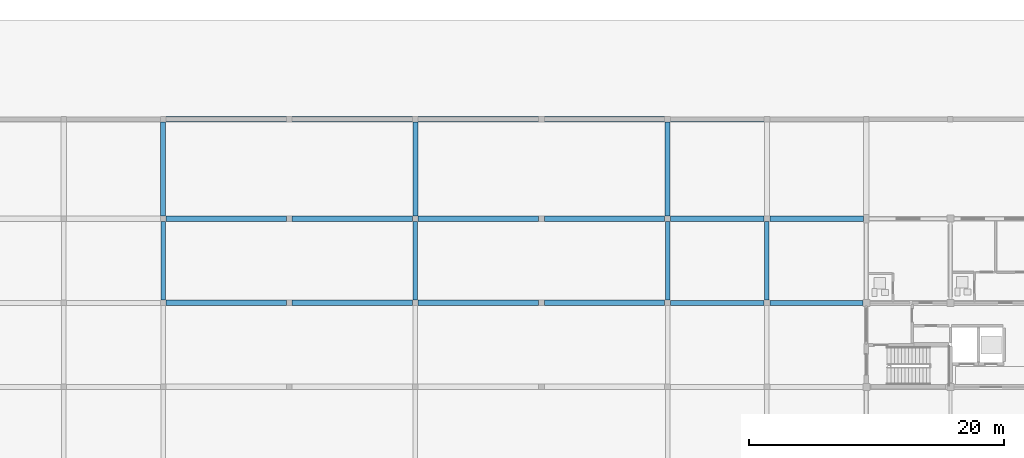
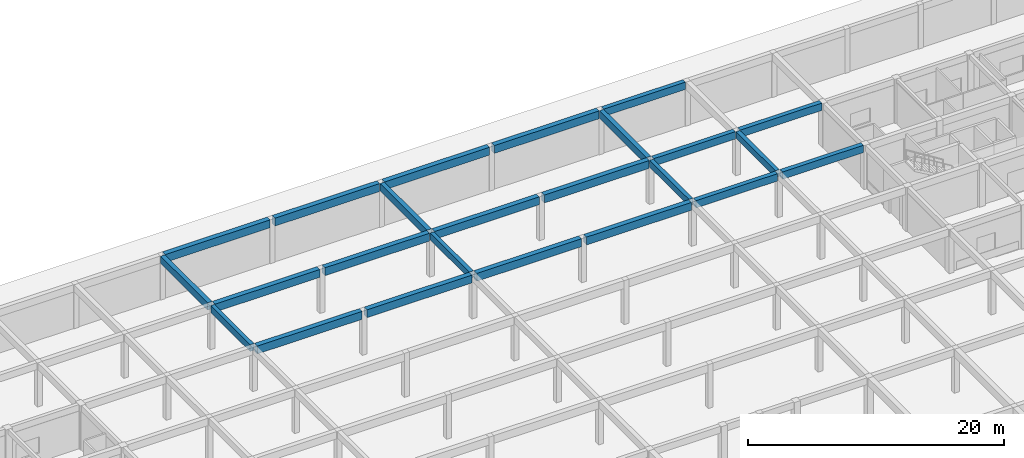
# One storey, part 35 of 75: 24 beams.
"""IFC4 building model written with IfcOpenShell, lengths in metres."""

from ifc_helpers import new_model, si_unit, direction, frame, origin, origin_2d, place, context, subcontext, project, spatial, rectangle, extrude, material, material_profile, profile_set, type_object, element, save


model = new_model("IFC4")

# Units and contexts
model_context = context("Model", 3, precision=1e-05, world=origin(), true_north=direction((0.0, 1.0)))
body_context = subcontext(model_context, "Body", "Model", "MODEL_VIEW")
ifc_project = project(units=[si_unit("LENGTHUNIT", "METRE"), si_unit("AREAUNIT", "SQUARE_METRE"), si_unit("VOLUMEUNIT", "CUBIC_METRE"), si_unit("PLANEANGLEUNIT", "RADIAN"), si_unit("MASSUNIT", "GRAM", prefix="KILO")], contexts=[model_context])

# Site, building, storey
site_placement = place(None, origin())
site = spatial("IfcSite", under=ifc_project, at=site_placement, CompositionType="ELEMENT")
building_placement = place(site_placement, origin())
building = spatial("IfcBuilding", under=site, at=building_placement, Name="Kernevlak Ridge Housing Community", CompositionType="ELEMENT")
storey_placement = place(building_placement, origin())
storey = spatial("IfcBuildingStorey", under=building, at=storey_placement, Name="L00", CompositionType="ELEMENT", Elevation=0.0)

# Beams
ifc_material = material(Name="Concrete C35/45", Category="concrete")
ifc_material_profile_1 = material_profile(ifc_material, rectangle(XDim=0.39990234375, YDim=0.699951171875, at=origin_2d()), Name="RC 400x700")
ifc_profile_set_1 = profile_set([ifc_material_profile_1], Name="Concrete C35/45")
beam_type_1 = type_object("IfcBeamType", Name="B-01", PredefinedType="BEAM", material=ifc_profile_set_1)
beam_1_placement = place(storey_placement, frame((104.02490234375, 95.800048828125, 3.85009765625), z_axis=(1.0, 0.0, 0.0), x_axis=(0.0, 1.0, 0.0)))
element("IfcBeam", 1, at=beam_1_placement, inside=storey, type_object=beam_type_1, Name="Beam B-01 L00 2231", PredefinedType="BEAM", context=body_context, shape_type="SweptSolid", body=[
    extrude(rectangle(XDim=0.39990234375, YDim=0.699951171875, at=origin_2d()), origin(), (0.0, 0.0, 1.0), 7.35009765625),
])
beam_2_placement = place(storey_placement, frame((111.824951171875, 95.800048828125, 3.85009765625), z_axis=(1.0, 0.0, 0.0), x_axis=(0.0, 1.0, 0.0)))
element("IfcBeam", 2, at=beam_2_placement, inside=storey, type_object=beam_type_1, Name="Beam B-01 L00 2232", PredefinedType="BEAM", context=body_context, shape_type="SweptSolid", body=[
    extrude(rectangle(XDim=0.39990234375, YDim=0.699951171875, at=origin_2d()), origin(), (0.0, 0.0, 1.0), 7.300048828125),
])
for number, where, z_axis, x_axis, name in (
    (3, (104.02490234375, 102.39990234375, 3.85009765625), (1.0, 0.0, 0.0), (0.0, 1.0, 0.0), "Beam B-01 L00 2246"),
    (4, (111.824951171875, 102.39990234375, 3.85009765625), (1.0, 0.0, 0.0), (0.0, 1.0, 0.0), "Beam B-01 L00 2247"),
    (5, (104.02490234375, 110.199951171875, 3.85009765625), (1.0, 0.0, 0.0), (0.0, 1.0, 0.0), "Beam B-01 L00 2261"),
    (6, (64.199951171875, 102.625, 3.85009765625), (0.0, 1.0, 0.0), (-1.0, 0.0, 0.0), "Beam B-01 L00 2326"),
    (7, (84.0, 102.625, 3.85009765625), (0.0, 1.0, 0.0), (-1.0, 0.0, 0.0), "Beam B-01 L00 2340"),
    (8, (103.800048828125, 102.625, 3.85009765625), (0.0, 1.0, 0.0), (-1.0, 0.0, 0.0), "Beam B-01 L00 2354"),
):
    element("IfcBeam", number, at=place(storey_placement, frame(where, z_axis=z_axis, x_axis=x_axis)), inside=storey, type_object=beam_type_1, Name=name, PredefinedType="BEAM", context=body_context, shape_type="SweptSolid", body=[
        extrude(rectangle(XDim=0.39990234375, YDim=0.699951171875, at=origin_2d()), origin(), (0.0, 0.0, 1.0), 7.35009765625),
    ])
ifc_material_profile_2 = material_profile(ifc_material, rectangle(XDim=0.35009765625, YDim=0.64990234375, at=origin_2d()), Name="RC 350x650")
ifc_profile_set_2 = profile_set([ifc_material_profile_2], Name="Concrete C35/45")
beam_type_2 = type_object("IfcBeamType", Name="B-02", PredefinedType="BEAM", material=ifc_profile_set_2)
for number, where, z_axis, x_axis, name in (
    (9, (64.199951171875, 96.02490234375, 3.875), (0.0, 1.0, 0.0), (-1.0, 0.0, 0.0), "Beam B-02 L00 2325"),
    (10, (84.0, 96.02490234375, 3.875), (0.0, 1.0, 0.0), (-1.0, 0.0, 0.0), "Beam B-02 L00 2339"),
    (11, (103.800048828125, 96.02490234375, 3.875), (0.0, 1.0, 0.0), (-1.0, 0.0, 0.0), "Beam B-02 L00 2353"),
    (12, (111.60009765625, 96.02490234375, 3.875), (0.0, 1.0, 0.0), (-1.0, 0.0, 0.0), "Beam B-02 L00 2367"),
):
    element("IfcBeam", number, at=place(storey_placement, frame(where, z_axis=z_axis, x_axis=x_axis)), inside=storey, type_object=beam_type_2, Name=name, PredefinedType="BEAM", context=body_context, shape_type="SweptSolid", body=[
        extrude(rectangle(XDim=0.35009765625, YDim=0.64990234375, at=origin_2d()), origin(), (0.0, 0.0, 1.0), 6.150146484375),
    ])
ifc_material_profile_3 = material_profile(ifc_material, rectangle(XDim=0.449951171875, YDim=0.75, at=origin_2d()), Name="RC 450x750")
ifc_profile_set_3 = profile_set([ifc_material_profile_3], Name="Concrete C35/45")
beam_type_3 = type_object("IfcBeamType", Name="B-05", PredefinedType="BEAM", material=ifc_profile_set_3)
for number, where, z_axis, x_axis, name in (
    (13, (64.425048828125, 95.800048828125, 3.824951171875), (1.0, 0.0, 0.0), (0.0, 1.0, 0.0), "Beam B-05 L00 2227"),
    (14, (74.324951171875, 95.800048828125, 3.824951171875), (1.0, 0.0, 0.0), (0.0, 1.0, 0.0), "Beam B-05 L00 2228"),
    (15, (84.22509765625, 95.800048828125, 3.824951171875), (1.0, 0.0, 0.0), (0.0, 1.0, 0.0), "Beam B-05 L00 2229"),
    (16, (94.125, 95.800048828125, 3.824951171875), (1.0, 0.0, 0.0), (0.0, 1.0, 0.0), "Beam B-05 L00 2230"),
    (17, (64.425048828125, 102.39990234375, 3.824951171875), (1.0, 0.0, 0.0), (0.0, 1.0, 0.0), "Beam B-05 L00 2242"),
    (18, (74.324951171875, 102.39990234375, 3.824951171875), (1.0, 0.0, 0.0), (0.0, 1.0, 0.0), "Beam B-05 L00 2243"),
    (19, (84.22509765625, 102.39990234375, 3.824951171875), (1.0, 0.0, 0.0), (0.0, 1.0, 0.0), "Beam B-05 L00 2244"),
    (20, (94.125, 102.39990234375, 3.824951171875), (1.0, 0.0, 0.0), (0.0, 1.0, 0.0), "Beam B-05 L00 2245"),
    (21, (64.425048828125, 110.199951171875, 3.824951171875), (1.0, 0.0, 0.0), (0.0, 1.0, 0.0), "Beam B-05 L00 2257"),
    (22, (74.324951171875, 110.199951171875, 3.824951171875), (1.0, 0.0, 0.0), (0.0, 1.0, 0.0), "Beam B-05 L00 2258"),
    (23, (84.22509765625, 110.199951171875, 3.824951171875), (1.0, 0.0, 0.0), (0.0, 1.0, 0.0), "Beam B-05 L00 2259"),
    (24, (94.125, 110.199951171875, 3.824951171875), (1.0, 0.0, 0.0), (0.0, 1.0, 0.0), "Beam B-05 L00 2260"),
):
    element("IfcBeam", number, at=place(storey_placement, frame(where, z_axis=z_axis, x_axis=x_axis)), inside=storey, type_object=beam_type_3, Name=name, PredefinedType="BEAM", context=body_context, shape_type="SweptSolid", body=[
        extrude(rectangle(XDim=0.449951171875, YDim=0.75, at=origin_2d()), origin(), (0.0, 0.0, 1.0), 9.449951171875),
    ])

save(model, "model.ifc")
